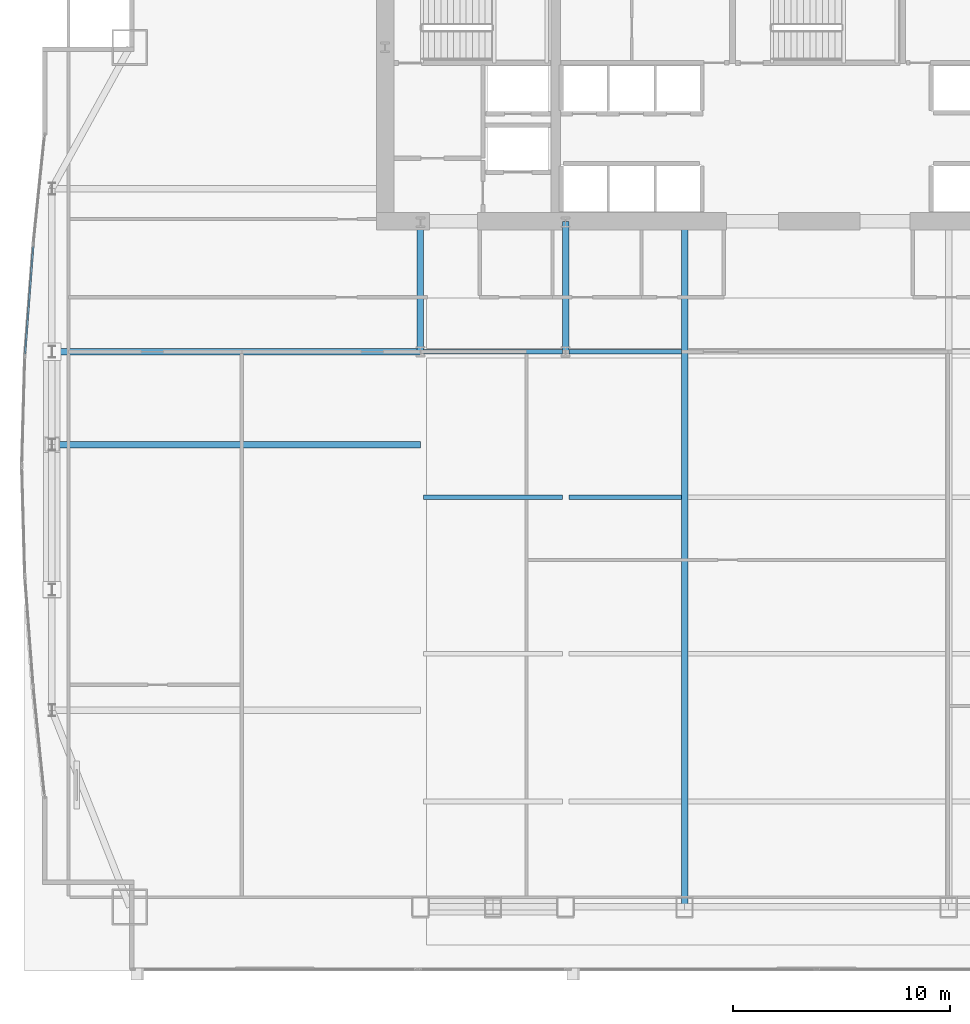
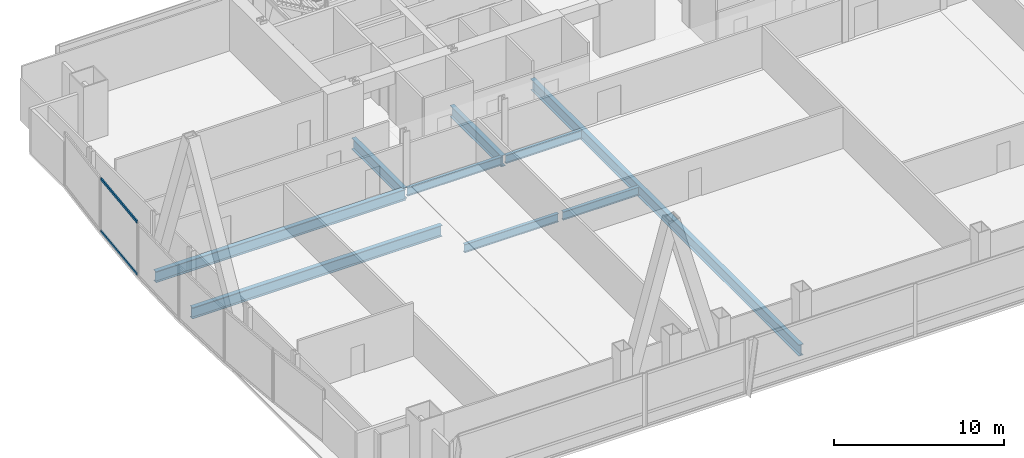
# One storey, part 11 of 35: 9 beams, 2 members, 1 element without a shape of its own.
"""IFC4 building model written with IfcOpenShell, lengths in metres."""

from ifc_helpers import new_model, si_unit, direction, frame, origin, origin_2d, place, context, subcontext, project, spatial, hollow_rectangle, i_section, extrude, material, material_profile, profile_set, type_object, element, aggregate, save


model = new_model("IFC4")

# Units and contexts
model_context = context("Model", 3, precision=1e-05, world=origin(), true_north=direction((0.0, 1.0)))
body_context = subcontext(model_context, "Body", "Model", "MODEL_VIEW")
ifc_project = project(units=[si_unit("LENGTHUNIT", "METRE"), si_unit("AREAUNIT", "SQUARE_METRE"), si_unit("VOLUMEUNIT", "CUBIC_METRE"), si_unit("PLANEANGLEUNIT", "RADIAN"), si_unit("MASSUNIT", "GRAM", prefix="KILO")], contexts=[model_context])

# Site, building, storey
site_placement = place(None, origin())
site = spatial("IfcSite", under=ifc_project, at=site_placement, CompositionType="ELEMENT")
building_placement = place(site_placement, origin())
building = spatial("IfcBuilding", under=site, at=building_placement, Name="Khoronbel Lancet Exchange", CompositionType="ELEMENT")
storey_placement = place(building_placement, frame((0.0, 0.0, 25.800048828125)))
storey = spatial("IfcBuildingStorey", under=building, at=storey_placement, Name="L05", CompositionType="ELEMENT", Elevation=25.800048828125)

# Beams
ifc_material_1 = material(Name="Steel S355", Category="steel")
ifc_material_profile_1 = material_profile(ifc_material_1, i_section(OverallWidth=0.300048828125, OverallDepth=0.800048828125, WebThickness=0.017578125, FlangeThickness=0.032958984375, at=origin_2d()), Name="HEB 800")
ifc_profile_set_1 = profile_set([ifc_material_profile_1], Name="Steel S355")
beam_type_1 = type_object("IfcBeamType", Name="BM-BG2", PredefinedType="BEAM", material=ifc_profile_set_1)
for number, where, z_axis, x_axis, name in (
    (1, (18.22509765625, 35.699951171875, -0.580078125), (0.0, 1.0, 0.0), (-1.0, 0.0, 0.0), "Level L05 spine tie girder GN1"),
    (2, (24.89990234375, 35.699951171875, -0.580078125), (0.0, 1.0, 0.0), (-1.0, 0.0, 0.0), "Level L05 spine tie girder GN2"),
):
    element("IfcBeam", number, at=place(storey_placement, frame(where, z_axis=z_axis, x_axis=x_axis)), inside=storey, type_object=beam_type_1, Name=name, PredefinedType="BEAM", context=body_context, shape_type="SweptSolid", body=[
        extrude(i_section(OverallWidth=0.300048828125, OverallDepth=0.800048828125, WebThickness=0.017578125, FlangeThickness=0.032958984375, at=origin_2d()), origin(), (0.0, 0.0, 1.0), 6.0),
    ])
beam_1_placement = place(storey_placement, frame((30.375, 10.14990234375, -0.580078125), z_axis=(0.0, 1.0, 0.0), x_axis=(-1.0, 0.0, 0.0)))
element("IfcBeam", 3, at=beam_1_placement, inside=storey, type_object=beam_type_1, Name="Level L05 primary floor girder G3", PredefinedType="BEAM", context=body_context, shape_type="SweptSolid", body=[
    extrude(i_section(OverallWidth=0.300048828125, OverallDepth=0.800048828125, WebThickness=0.017578125, FlangeThickness=0.032958984375, at=origin_2d()), origin(), (0.0, 0.0, 1.0), 31.550048828125),
])
for number, where, z_axis, x_axis, name in (
    (4, (1.27001953125, 31.425048828125, -0.580078125), (1.0, 0.0, 0.0), (0.0, 1.0, 0.0), "Level L05 west lens tie girder LG2W"),
    (5, (1.27001953125, 35.699951171875, -0.580078125), (1.0, 0.0, 0.0), (0.0, 1.0, 0.0), "Level L05 west lens tie girder LG4W"),
):
    element("IfcBeam", number, at=place(storey_placement, frame(where, z_axis=z_axis, x_axis=x_axis)), inside=storey, type_object=beam_type_1, Name=name, PredefinedType="BEAM", context=body_context, shape_type="SweptSolid", body=[
        extrude(i_section(OverallWidth=0.300048828125, OverallDepth=0.800048828125, WebThickness=0.017578125, FlangeThickness=0.032958984375, at=origin_2d()), origin(), (0.0, 0.0, 1.0), 16.955078125),
    ])
ifc_material_profile_2 = material_profile(ifc_material_1, i_section(OverallWidth=0.219970703125, OverallDepth=0.60009765625, WebThickness=0.011962890625, FlangeThickness=0.01904296875, at=origin_2d()), Name="IPE 600")
ifc_profile_set_2 = profile_set([ifc_material_profile_2], Name="Steel S355")
beam_type_2 = type_object("IfcBeamType", Name="BM-BJ1", PredefinedType="JOIST", material=ifc_profile_set_2)
beam_2_placement = place(storey_placement, frame((18.375, 29.0, -0.47998046875), z_axis=(1.0, 0.0, 0.0), x_axis=(0.0, 1.0, 0.0)))
element("IfcBeam", 6, at=beam_2_placement, inside=storey, type_object=beam_type_2, Name="Level L05 secondary composite joist J11", PredefinedType="JOIST", context=body_context, shape_type="SweptSolid", body=[
    extrude(i_section(OverallWidth=0.219970703125, OverallDepth=0.60009765625, WebThickness=0.011962890625, FlangeThickness=0.01904296875, at=origin_2d()), origin(), (0.0, 0.0, 1.0), 6.375),
])
beam_3_placement = place(storey_placement, frame((25.050048828125, 29.0, -0.47998046875), z_axis=(1.0, 0.0, 0.0), x_axis=(0.0, 1.0, 0.0)))
element("IfcBeam", 7, at=beam_3_placement, inside=storey, type_object=beam_type_2, Name="Level L05 secondary composite joist J12", PredefinedType="JOIST", context=body_context, shape_type="SweptSolid", body=[
    extrude(i_section(OverallWidth=0.219970703125, OverallDepth=0.60009765625, WebThickness=0.011962890625, FlangeThickness=0.01904296875, at=origin_2d()), origin(), (0.0, 0.0, 1.0), 5.175048828125),
])
beam_4_placement = place(storey_placement, frame((18.375, 35.699951171875, -0.47998046875), z_axis=(1.0, 0.0, 0.0), x_axis=(0.0, 1.0, 0.0)))
element("IfcBeam", 8, at=beam_4_placement, inside=storey, type_object=beam_type_2, Name="Level L05 secondary composite joist J16", PredefinedType="JOIST", context=body_context, shape_type="SweptSolid", body=[
    extrude(i_section(OverallWidth=0.219970703125, OverallDepth=0.60009765625, WebThickness=0.011962890625, FlangeThickness=0.01904296875, at=origin_2d()), origin(), (0.0, 0.0, 1.0), 6.375),
])
beam_5_placement = place(storey_placement, frame((25.050048828125, 35.699951171875, -0.47998046875), z_axis=(1.0, 0.0, 0.0), x_axis=(0.0, 1.0, 0.0)))
element("IfcBeam", 9, at=beam_5_placement, inside=storey, type_object=beam_type_2, Name="Level L05 secondary composite joist J17", PredefinedType="JOIST", context=body_context, shape_type="SweptSolid", body=[
    extrude(i_section(OverallWidth=0.219970703125, OverallDepth=0.60009765625, WebThickness=0.011962890625, FlangeThickness=0.01904296875, at=origin_2d()), origin(), (0.0, 0.0, 1.0), 5.175048828125),
])

# Curtain wall, members
ifc_material_2 = material(Name="Low-E Solar Control Insulating Glass", Category="glass")
curtain_wall_type = type_object("IfcCurtainWallType", Name="CW-4", PredefinedType="NOTDEFINED", material=ifc_material_2)
curtain_wall_placement = place(storey_placement, origin())
curtain_wall = element("IfcCurtainWall", 10, at=curtain_wall_placement, inside=storey, type_object=curtain_wall_type, Name="Unitised curtain wall CW-L05-E08", PredefinedType="NOTDEFINED")
ifc_material_3 = material(Name="Bronze-Anodised Aluminium 6063-T6", Category="aluminium")
ifc_material_profile_3 = material_profile(ifc_material_3, hollow_rectangle(XDim=0.0849609375, YDim=0.179931640625, WallThickness=0.0048828125, at=origin_2d()), Name="ALU TRANSOM 85x180")
ifc_profile_set_3 = profile_set([ifc_material_profile_3], Name="Bronze-Anodised Aluminium 6063-T6")
member_type = type_object("IfcMemberType", Name="MEM-CWT1", PredefinedType="USERDEFINED", material=ifc_profile_set_3)
member_1_placement = place(storey_placement, frame((0.0361328125, 35.603515625, 0.04248046875), z_axis=(0.07539754774, 0.997153553769, 0.0), x_axis=(-0.997153553769, 0.07539754774, 0.0)))
member_1 = element("IfcMember", 11, at=member_1_placement, type_object=member_type, Name="CW4 transom 1.1", ObjectType="TRANSOM", PredefinedType="USERDEFINED", context=body_context, shape_type="SweptSolid", body=[
    extrude(hollow_rectangle(XDim=0.0849609375, YDim=0.179931640625, WallThickness=0.0048828125, at=origin_2d()), origin(), (0.0, 0.0, 1.0), 4.944580078125),
])
member_2_placement = place(storey_placement, frame((0.0361328125, 35.603515625, 3.77734375), z_axis=(0.07539754774, 0.997153553769, 0.0), x_axis=(-0.997153553769, 0.07539754774, 0.0)))
member_2 = element("IfcMember", 12, at=member_2_placement, type_object=member_type, Name="CW4 transom 1.2", ObjectType="TRANSOM", PredefinedType="USERDEFINED", context=body_context, shape_type="SweptSolid", body=[
    extrude(hollow_rectangle(XDim=0.0849609375, YDim=0.179931640625, WallThickness=0.0048828125, at=origin_2d()), origin(), (0.0, 0.0, 1.0), 4.944580078125),
])
aggregate(curtain_wall, [member_1, member_2])

save(model, "model.ifc")
